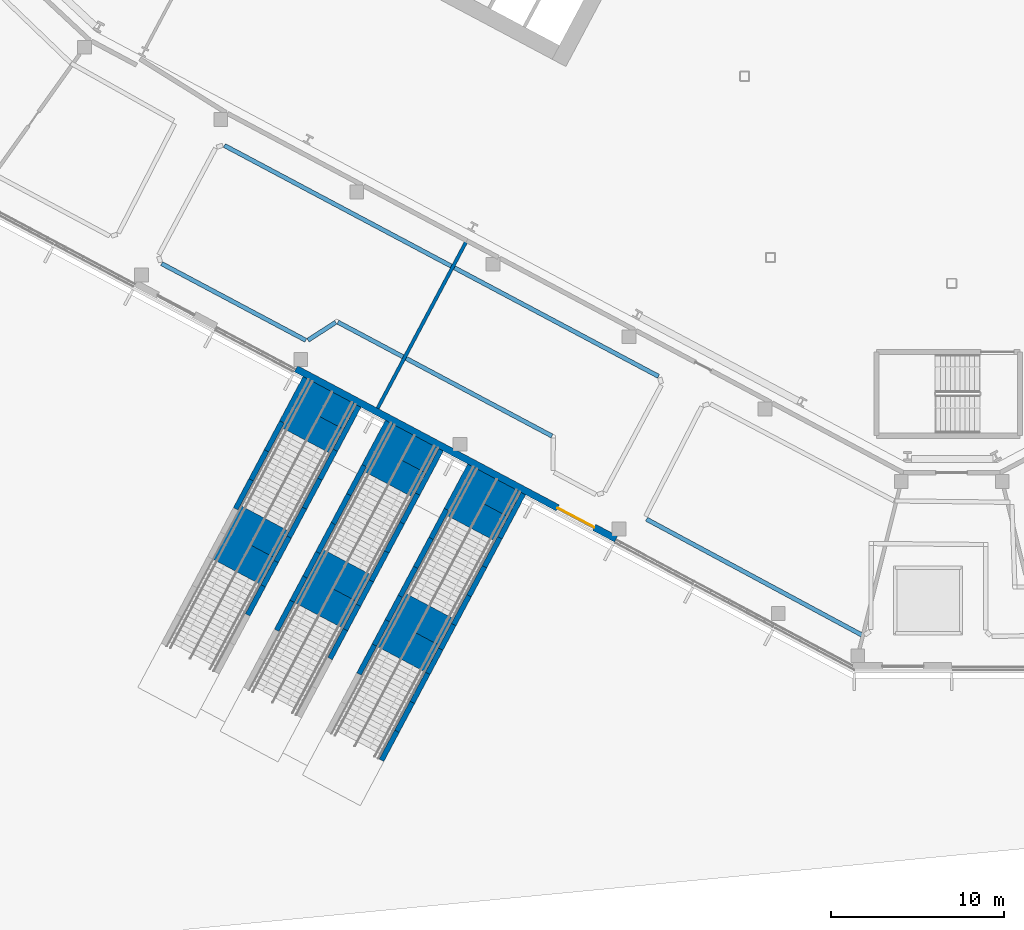
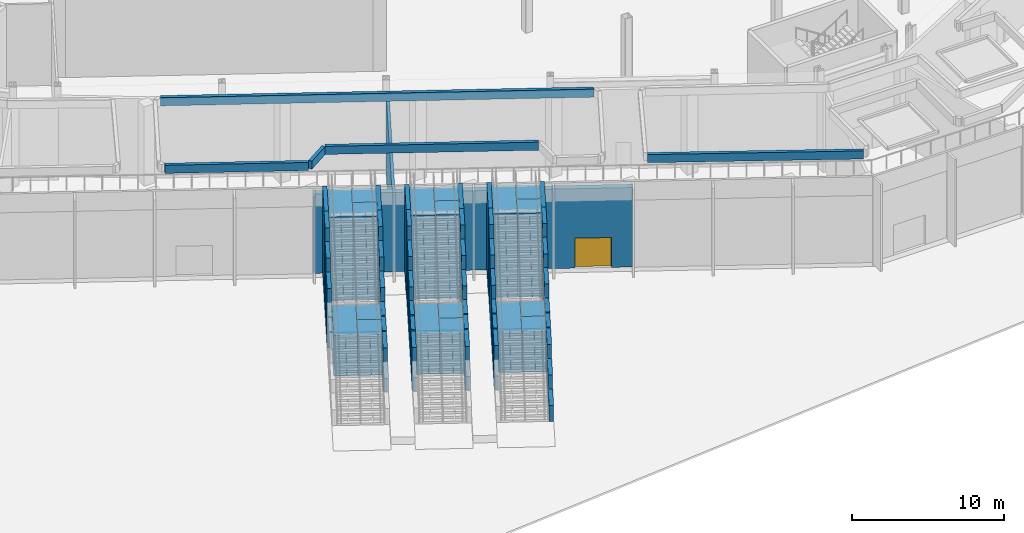
# One storey, part 14 of 57: 66 walls, 1 door, 1 opening.
"""IFC4 building model written with IfcOpenShell, lengths in metres."""

import ifcopenshell
import ifcopenshell.guid

model = None  # the IFC model being written
_history = None  # IfcOwnerHistory: only IFC2X3 demands one
_inside = {}  # id of a spatial element -> (the spatial element, [elements in it])
_under = {}  # id of a project, library or spatial element -> (it, [spatial elements below it])
_declared = {}  # id of a project -> (the project, [libraries it declares])
_typed = {}  # id of a type object -> (the type object, [elements of that type])
_made_of = {}  # id of a material, layer set ... -> (it, [elements and type objects made of it])


def new_model(schema):
    """Start an empty IFC model of exactly this schema.

    Asked for "IFC4X3", IfcOpenShell would pick the latest addendum, in which some entities
    have other attributes; the version numbers below select the first issue.
    IFC2X3 requires an IfcOwnerHistory on every rooted entity: one is made here for all.
    """
    global model, _history
    if schema == "IFC4X3":
        model = ifcopenshell.file(schema_version=(4, 3, 0, 0))
    else:
        model = ifcopenshell.file(schema=schema)
    _inside.clear()
    _under.clear()
    _declared.clear()
    _typed.clear()
    _made_of.clear()
    _history = None
    if model.schema == "IFC2X3":
        org = make("IfcOrganization", Name="unknown")
        user = make(
            "IfcPersonAndOrganization",
            ThePerson=make("IfcPerson", FamilyName="unknown"),
            TheOrganization=org,
        )
        app = make(
            "IfcApplication",
            ApplicationDeveloper=org,
            Version="unknown",
            ApplicationFullName="unknown",
            ApplicationIdentifier="unknown",
        )
        _history = make(
            "IfcOwnerHistory",
            OwningUser=user,
            OwningApplication=app,
            ChangeAction="ADDED",
            CreationDate=0,
        )
    return model


def make(cls, **values):
    """One entity of the class cls with the attributes given. An attribute that is None is left unset."""
    return model.create_entity(
        cls, **{name: value for name, value in values.items() if value is not None}
    )


def rooted(cls, **values):
    """An entity with a GlobalId (a new one), such as an element, a storey or a relation."""
    return make(cls, GlobalId=ifcopenshell.guid.new(), OwnerHistory=_history, **values)


def si_unit(unit_type, name, prefix=None):
    """IfcSIUnit, for example si_unit("LENGTHUNIT", "METRE", prefix="MILLI")."""
    return make("IfcSIUnit", UnitType=unit_type, Prefix=prefix, Name=name)


def assignment(units):
    """IfcUnitAssignment: the units of a project."""
    return None if units is None else make("IfcUnitAssignment", Units=units)


def point(xyz):
    """IfcCartesianPoint."""
    return None if xyz is None else make("IfcCartesianPoint", Coordinates=xyz)


def direction(xyz):
    """IfcDirection."""
    return None if xyz is None else make("IfcDirection", DirectionRatios=xyz)


def frame(location, z_axis=None, x_axis=None):
    """IfcAxis2Placement3D, a coordinate frame: its origin and axes. An axis left out is left unset."""
    return make(
        "IfcAxis2Placement3D",
        Location=point(location),
        Axis=direction(z_axis),
        RefDirection=direction(x_axis),
    )


def frame_2d(location, x_axis=None):
    """IfcAxis2Placement2D, a coordinate frame in the plane: its origin and x axis."""
    return make(
        "IfcAxis2Placement2D", Location=point(location), RefDirection=direction(x_axis)
    )


def origin():
    """The frame at (0, 0, 0) with its axes left unset."""
    return frame((0.0, 0.0, 0.0))


def place(relative_to, where):
    """IfcLocalPlacement: puts the frame where relative to a parent placement (None: the world)."""
    return make(
        "IfcLocalPlacement", PlacementRelTo=relative_to, RelativePlacement=where
    )


def context(
    kind, dimensions, precision=None, world=None, true_north=None, identifier=None
):
    """IfcGeometricRepresentationContext, for example the 3D "Model" context."""
    return make(
        "IfcGeometricRepresentationContext",
        ContextIdentifier=identifier,
        ContextType=kind,
        CoordinateSpaceDimension=dimensions,
        Precision=precision,
        WorldCoordinateSystem=world,
        TrueNorth=true_north,
    )


def subcontext(parent, identifier, kind, view, scale=None):
    """IfcGeometricRepresentationSubContext, for example "Body" below "Model"."""
    return make(
        "IfcGeometricRepresentationSubContext",
        ContextIdentifier=identifier,
        ContextType=kind,
        ParentContext=parent,
        TargetScale=scale,
        TargetView=view,
    )


def project(units=None, contexts=None):
    """IfcProject with its units and contexts."""
    return rooted(
        "IfcProject",
        Name="project",
        RepresentationContexts=contexts,
        UnitsInContext=assignment(units),
    )


def spatial(cls, under=None, at=None, **own):
    """A site, building, storey or space (cls), placed at a placement, below another one or the project."""
    s = rooted(cls, ObjectPlacement=at, **own)
    if under is not None:
        _under.setdefault(under.id(), (under, []))[1].append(s)
    return s


def profile(cls, at=None, kind="AREA", **sizes):
    """A parametric profile (cls). Its sizes go by their IFC names, for example OverallWidth=200.0."""
    return make(cls, ProfileType=kind, Position=at, **sizes)


def rectangle(**sizes):
    """IfcRectangleProfileDef."""
    return profile("IfcRectangleProfileDef", **sizes)


def extrude(swept, where, along, depth):
    """IfcExtrudedAreaSolid: the profile swept, set in the frame where, extruded along a direction by depth."""
    return make(
        "IfcExtrudedAreaSolid",
        SweptArea=swept,
        Position=where,
        ExtrudedDirection=direction(along),
        Depth=depth,
    )


def shape(context_of_items, identifier, shape_type, items):
    """IfcShapeRepresentation: the items that make up one representation, for example the "Body"."""
    return make(
        "IfcShapeRepresentation",
        ContextOfItems=context_of_items,
        RepresentationIdentifier=identifier,
        RepresentationType=shape_type,
        Items=items,
    )


def material(Name=None, Category=None):
    """IfcMaterial."""
    return make("IfcMaterial", Name=Name, Category=Category)


def layer(
    of_material, thickness, ventilated=None, Name=None, Category=None, Priority=None
):
    """IfcMaterialLayer: one layer of a wall or slab, of a material (None: an air gap)."""
    return make(
        "IfcMaterialLayer",
        Material=of_material,
        LayerThickness=thickness,
        IsVentilated=ventilated,
        Name=Name,
        Category=Category,
        Priority=Priority,
    )


def layer_set(layers, Name=None):
    """IfcMaterialLayerSet."""
    return make("IfcMaterialLayerSet", MaterialLayers=layers, LayerSetName=Name)


def made_of(thing, what):
    """Note that an element or type object is made of a material, layer set ...; save() writes the relation."""
    if what is not None:
        _made_of.setdefault(what.id(), (what, []))[1].append(thing)
    return thing


def type_object(cls, material=None, **own):
    """A type object (cls), such as IfcWallType, which elements share."""
    return made_of(rooted(cls, **own), material)


def element(
    cls,
    number,
    at=None,
    inside=None,
    cuts=None,
    type_object=None,
    material=None,
    context=None,
    identifier="Body",
    shape_type=None,
    held_by="IfcProductDefinitionShape",
    body=None,
    shapes=None,
    **own,
):
    """One element of the class cls, such as IfcWall. Its Tag is "e" and its number.

    at: its placement. inside: the storey or other place that contains it. cuts: it is an
    opening in that element (IfcRelVoidsElement). A single representation is given by context,
    identifier, shape_type and body (its items); several are given by shapes. held_by: the class
    of the entity that holds the representations. save() writes the other relations.
    """
    e = rooted(cls, Tag="e%d" % number, ObjectPlacement=at, **own)
    if body is not None:
        shapes = [shape(context, identifier, shape_type, body)]
    if shapes is not None:
        e.Representation = make(held_by, Representations=shapes)
    if inside is not None:
        _inside.setdefault(inside.id(), (inside, []))[1].append(e)
    if cuts is not None:
        rooted(
            "IfcRelVoidsElement", RelatingBuildingElement=cuts, RelatedOpeningElement=e
        )
    if type_object is not None:
        _typed.setdefault(type_object.id(), (type_object, []))[1].append(e)
    return made_of(e, material)


def fill(opening, filler):
    """IfcRelFillsElement: the door or window that sits in an opening."""
    return rooted(
        "IfcRelFillsElement",
        RelatingOpeningElement=opening,
        RelatedBuildingElement=filler,
    )


def aggregate(whole, parts):
    """IfcRelAggregates: a whole, such as a stair, and the parts it consists of."""
    return rooted("IfcRelAggregates", RelatingObject=whole, RelatedObjects=parts)


def save(model, path):
    """Write the relations noted so far, then the file.

    IfcRelAggregates (storeys below a building ...), IfcRelContainedInSpatialStructure (elements
    in a storey), IfcRelDefinesByType, IfcRelAssociatesMaterial and IfcRelDeclares: one each for
    every whole, place, type object, material and project.
    """
    for whole, parts in _under.values():
        aggregate(whole, parts)
    for where, things in _inside.values():
        rooted(
            "IfcRelContainedInSpatialStructure",
            RelatedElements=things,
            RelatingStructure=where,
        )
    for kind, things in _typed.values():
        rooted("IfcRelDefinesByType", RelatedObjects=things, RelatingType=kind)
    for what, things in _made_of.values():
        rooted("IfcRelAssociatesMaterial", RelatedObjects=things, RelatingMaterial=what)
    for by, libraries in _declared.values():
        rooted("IfcRelDeclares", RelatingContext=by, RelatedDefinitions=libraries)
    model.write(path)


model = new_model("IFC4")

# Units and contexts
model_context = context("Model", 3, precision=1e-05, world=origin(), true_north=direction((0.0, 1.0)))
body_context = subcontext(model_context, "Body", "Model", "MODEL_VIEW")
ifc_project = project(units=[si_unit("LENGTHUNIT", "METRE"), si_unit("AREAUNIT", "SQUARE_METRE"), si_unit("VOLUMEUNIT", "CUBIC_METRE"), si_unit("PLANEANGLEUNIT", "RADIAN"), si_unit("MASSUNIT", "GRAM", prefix="KILO")], contexts=[model_context])

# Site, building, storey
site_placement = place(None, origin())
site = spatial("IfcSite", under=ifc_project, at=site_placement, CompositionType="ELEMENT")
building_placement = place(site_placement, origin())
building = spatial("IfcBuilding", under=site, at=building_placement, Name="Cormorant Relay Tower", CompositionType="ELEMENT")
storey_placement = place(building_placement, origin())
storey = spatial("IfcBuildingStorey", under=building, at=storey_placement, Name="L00", CompositionType="ELEMENT", Elevation=0.0)

# Wall, opening, door
ifc_material_1 = material(Name="Concrete 40 MPa with granite cladding", Category="masonry")
ifc_layer_1 = layer(ifc_material_1, 0.39990234375)
ifc_layer_set_1 = layer_set([ifc_layer_1], Name="Base facade wall 400")
wall_type_1 = type_object("IfcWallType", Name="Base facade wall 400", PredefinedType="SOLIDWALL", material=ifc_layer_set_1)
wall_1_placement = place(storey_placement, frame((-37.98828125, -16.94970703125, 0.0), z_axis=(0.0, 0.0, 1.0), x_axis=(0.882951258831, -0.469464668029, 0.0)))
wall_1 = element("IfcWall", 1, at=wall_1_placement, inside=storey, type_object=wall_type_1, Name="Base facade wall", PredefinedType="SOLIDWALL", context=body_context, shape_type="SweptSolid", body=[
    extrude(rectangle(XDim=20.99560546875, YDim=0.39990234375, at=frame_2d((10.497802734375, 0.0))), origin(), (0.0, 0.0, 1.0), 6.3701171875),
])
opening_placement = place(wall_1_placement, frame((17.171142578125, 0.0, 0.0)))
opening = element("IfcOpeningElement", 2, at=opening_placement, cuts=wall_1, Name="Opening PD6-009", PredefinedType="OPENING", context=body_context, shape_type="SweptSolid", body=[
    extrude(rectangle(XDim=2.39990234375, YDim=2.39990234375, at=frame_2d((1.199951171875, 1.199951171875))), frame((0.0, 0.2099609375, 0.0), z_axis=(0.0, -1.0, 0.0), x_axis=(1.0, 0.0, 0.0)), (0.0, 0.0, 1.0), 0.419921875),
])
ifc_material_2 = material(Name="Bronze framed glass door", Category="glass")
door_type = type_object("IfcDoorType", Name="Door entrance double 2400", OperationType="DOUBLE_DOOR_SINGLE_SWING", PredefinedType="DOOR", material=ifc_material_2)
door_placement = place(opening_placement, frame((2.39990234375, 0.0, 0.0), z_axis=(0.0, 0.0, 1.0), x_axis=(-1.0, 0.0, 0.0)))
door = element("IfcDoor", 3, at=door_placement, inside=storey, type_object=door_type, Name="Entrance door", OperationType="DOUBLE_DOOR_SINGLE_SWING", OverallHeight=2.39990234375, OverallWidth=2.39990234375, PredefinedType="DOOR", context=body_context, shape_type="SweptSolid", body=[
    extrude(rectangle(XDim=2.39990234375, YDim=2.39990234375, at=frame_2d((1.199951171875, 1.199951171875))), frame((0.0, 0.02490234375, 0.0), z_axis=(0.0, -1.0, 0.0), x_axis=(1.0, 0.0, 0.0)), (0.0, 0.0, 1.0), 0.050048828125),
])
fill(opening, door)

# Walls
ifc_material_3 = material(Name="Concrete masonry 20 MPa", Category="masonry")
ifc_layer_2 = layer(ifc_material_3, 0.199951171875)
ifc_layer_set_2 = layer_set([ifc_layer_2], Name="Plant room wall 200")
wall_type_2 = type_object("IfcWallType", Name="Plant room wall 200", PredefinedType="PARTITIONING", material=ifc_layer_set_2)
wall_2_placement = place(storey_placement, frame((-33.259765625, -19.2373046875, 0.0), z_axis=(0.0, 0.0, 1.0), x_axis=(0.469463523634, 0.882951867305, 0.0)))
element("IfcWall", 4, at=wall_2_placement, inside=storey, type_object=wall_type_2, Name="Partition", PredefinedType="PARTITIONING", context=body_context, shape_type="SweptSolid", body=[
    extrude(rectangle(XDim=11.0, YDim=0.199951171875, at=frame_2d((5.5, 0.0))), origin(), (0.0, 0.0, 1.0), 6.3701171875),
])
ifc_material_4 = material(Name="Concrete 40 MPa", Category="concrete")
ifc_layer_3 = layer(ifc_material_4, 0.25)
ifc_layer_set_3 = layer_set([ifc_layer_3], Name="Planter kerb 250")
wall_type_3 = type_object("IfcWallType", Name="Planter kerb 250", PredefinedType="STANDARD", material=ifc_layer_set_3)
wall_3_placement = place(storey_placement, frame((-5.174072265625, -32.3896484375, 7.0), z_axis=(0.0, 0.0, 1.0), x_axis=(-0.880676930477, 0.473717367347, 0.0)))
element("IfcWall", 5, at=wall_3_placement, inside=storey, type_object=wall_type_3, Name="PLANTER 01 kerb", PredefinedType="STANDARD", context=body_context, shape_type="SweptSolid", body=[
    extrude(rectangle(XDim=14.200439453125, YDim=0.25, at=frame_2d((7.10009765625, 0.0))), origin(), (0.0, 0.0, 1.0), 0.64990234375),
])
wall_4_placement = place(storey_placement, frame((-23.158935546875, -20.844970703125, 7.0), z_axis=(0.0, 0.0, 1.0), x_axis=(-0.882863954687, 0.469628829518, 0.0)))
element("IfcWall", 6, at=wall_4_placement, inside=storey, type_object=wall_type_3, Name="PLANTER 03 kerb", PredefinedType="STANDARD", context=body_context, shape_type="SweptSolid", body=[
    extrude(rectangle(XDim=14.0439453125, YDim=0.25, at=frame_2d((7.02197265625, 0.0))), origin(), (0.0, 0.0, 1.0), 0.64990234375),
])
wall_5_placement = place(storey_placement, frame((-35.684326171875, -14.2548828125, 7.0), z_axis=(0.0, 0.0, 1.0), x_axis=(-0.840369713359, -0.542013602107, 0.0)))
element("IfcWall", 7, at=wall_5_placement, inside=storey, type_object=wall_type_3, Name="PLANTER 03 kerb", PredefinedType="STANDARD", context=body_context, shape_type="SweptSolid", body=[
    extrude(rectangle(XDim=1.914794921875, YDim=0.25, at=frame_2d((0.95751953125, 0.0))), origin(), (0.0, 0.0, 1.0), 0.64990234375),
])
wall_6_placement = place(storey_placement, frame((-37.419921875, -15.298095703125, 7.0), z_axis=(0.0, 0.0, 1.0), x_axis=(-0.882939968374, 0.469485902076, 0.0)))
element("IfcWall", 8, at=wall_6_placement, inside=storey, type_object=wall_type_3, Name="PLANTER 03 kerb", PredefinedType="STANDARD", context=body_context, shape_type="SweptSolid", body=[
    extrude(rectangle(XDim=9.4638671875, YDim=0.25, at=frame_2d((4.73193359375, 0.0))), origin(), (0.0, 0.0, 1.0), 0.64990234375),
])
wall_7_placement = place(storey_placement, frame((-42.137451171875, -4.01220703125, 7.0), z_axis=(0.0, 0.0, 1.0), x_axis=(0.882945698561, -0.469475125424, 0.0)))
element("IfcWall", 9, at=wall_7_placement, inside=storey, type_object=wall_type_3, Name="PLANTER 03 kerb", PredefinedType="STANDARD", context=body_context, shape_type="SweptSolid", body=[
    extrude(rectangle(XDim=28.492431640625, YDim=0.25, at=frame_2d((14.24609375, 0.0))), origin(), (0.0, 0.0, 1.0), 0.64990234375),
])
ifc_material_5 = material(Name="Concrete 40 MPa with granite cladding", Category="masonry")
ifc_layer_4 = layer(ifc_material_5, 0.300048828125)
ifc_layer_set_4 = layer_set([ifc_layer_4], Name="Stair cheek wall 300")
wall_type_4 = type_object("IfcWallType", Name="Stair cheek wall 300", PredefinedType="SOLIDWALL", material=ifc_layer_set_4)
wall_8_placement = place(storey_placement, frame((-37.443603515625, -17.4658203125, 0.0), z_axis=(0.0, 0.0, 1.0), x_axis=(-0.469434248776, -0.882967432059, 0.0)))
element("IfcWall", 10, at=wall_8_placement, inside=storey, type_object=wall_type_4, Name="Stair cheek wall", PredefinedType="SOLIDWALL", context=body_context, shape_type="SweptSolid", body=[
    extrude(rectangle(XDim=2.89990234375, YDim=0.300048828125, at=frame_2d((1.449951171875, 0.0))), origin(), (0.0, 0.0, 1.0), 7.0),
])
wall_9_placement = place(storey_placement, frame((-38.804931640625, -20.0263671875, 0.0), z_axis=(0.0, 0.0, 1.0), x_axis=(-0.469534121713, -0.882914326844, 0.0)))
element("IfcWall", 11, at=wall_9_placement, inside=storey, type_object=wall_type_4, Name="Stair cheek wall", PredefinedType="SOLIDWALL", context=body_context, shape_type="SweptSolid", body=[
    extrude(rectangle(XDim=1.89990234375, YDim=0.300048828125, at=frame_2d((0.949951171875, 0.0))), origin(), (0.0, 0.0, 1.0), 7.0),
])
wall_10_placement = place(storey_placement, frame((-39.697021484375, -21.703857421875, 0.0), z_axis=(0.0, 0.0, 1.0), x_axis=(-0.4694808567, -0.882942651134, 0.0)))
element("IfcWall", 12, at=wall_10_placement, inside=storey, type_object=wall_type_4, Name="Stair cheek wall", PredefinedType="SOLIDWALL", context=body_context, shape_type="SweptSolid", body=[
    extrude(rectangle(XDim=1.900146484375, YDim=0.300048828125, at=frame_2d((0.9501953125, 0.0))), origin(), (0.0, 0.0, 1.0), 5.89208984375),
])
wall_11_placement = place(storey_placement, frame((-40.589111328125, -23.381591796875, 0.0), z_axis=(0.0, 0.0, 1.0), x_axis=(-0.469433943093, -0.882967594577, 0.0)))
element("IfcWall", 13, at=wall_11_placement, inside=storey, type_object=wall_type_4, Name="Stair cheek wall", PredefinedType="SOLIDWALL", context=body_context, shape_type="SweptSolid", body=[
    extrude(rectangle(XDim=1.89990234375, YDim=0.300048828125, at=frame_2d((0.949951171875, 0.0))), origin(), (0.0, 0.0, 1.0), 4.782958984375),
])
wall_12_placement = place(storey_placement, frame((-34.353271484375, -19.10888671875, 0.0), z_axis=(0.0, 0.0, 1.0), x_axis=(-0.469434248776, -0.882967432059, 0.0)))
element("IfcWall", 14, at=wall_12_placement, inside=storey, type_object=wall_type_4, Name="Stair cheek wall", PredefinedType="SOLIDWALL", context=body_context, shape_type="SweptSolid", body=[
    extrude(rectangle(XDim=2.89990234375, YDim=0.300048828125, at=frame_2d((1.449951171875, 0.0))), origin(), (0.0, 0.0, 1.0), 7.0),
])
wall_13_placement = place(storey_placement, frame((-35.714599609375, -21.66943359375, 0.0), z_axis=(0.0, 0.0, 1.0), x_axis=(-0.469534121713, -0.882914326844, 0.0)))
element("IfcWall", 15, at=wall_13_placement, inside=storey, type_object=wall_type_4, Name="Stair cheek wall", PredefinedType="SOLIDWALL", context=body_context, shape_type="SweptSolid", body=[
    extrude(rectangle(XDim=1.89990234375, YDim=0.300048828125, at=frame_2d((0.949951171875, 0.0))), origin(), (0.0, 0.0, 1.0), 7.0),
])
wall_14_placement = place(storey_placement, frame((-36.606689453125, -23.346923828125, 0.0), z_axis=(0.0, 0.0, 1.0), x_axis=(-0.4694808567, -0.882942651134, 0.0)))
element("IfcWall", 16, at=wall_14_placement, inside=storey, type_object=wall_type_4, Name="Stair cheek wall", PredefinedType="SOLIDWALL", context=body_context, shape_type="SweptSolid", body=[
    extrude(rectangle(XDim=1.900146484375, YDim=0.300048828125, at=frame_2d((0.9501953125, 0.0))), origin(), (0.0, 0.0, 1.0), 5.89208984375),
])
wall_15_placement = place(storey_placement, frame((-37.498779296875, -25.024658203125, 0.0), z_axis=(0.0, 0.0, 1.0), x_axis=(-0.469433943093, -0.882967594577, 0.0)))
element("IfcWall", 17, at=wall_15_placement, inside=storey, type_object=wall_type_4, Name="Stair cheek wall", PredefinedType="SOLIDWALL", context=body_context, shape_type="SweptSolid", body=[
    extrude(rectangle(XDim=1.89990234375, YDim=0.300048828125, at=frame_2d((0.949951171875, 0.0))), origin(), (0.0, 0.0, 1.0), 4.782958984375),
])
wall_16_placement = place(storey_placement, frame((-38.390625, -26.7021484375, 0.0), z_axis=(0.0, 0.0, 1.0), x_axis=(-0.469471267677, -0.882947749771, 0.0)))
element("IfcWall", 18, at=wall_16_placement, inside=storey, type_object=wall_type_4, Name="Stair cheek wall", PredefinedType="SOLIDWALL", context=body_context, shape_type="SweptSolid", body=[
    extrude(rectangle(XDim=1.60009765625, YDim=0.300048828125, at=frame_2d((0.800048828125, 0.0))), origin(), (0.0, 0.0, 1.0), 3.675048828125),
])
wall_17_placement = place(storey_placement, frame((-39.141845703125, -28.114990234375, 0.0), z_axis=(0.0, 0.0, 1.0), x_axis=(-0.469534519898, -0.882914115089, 0.0)))
element("IfcWall", 19, at=wall_17_placement, inside=storey, type_object=wall_type_4, Name="Stair cheek wall", PredefinedType="SOLIDWALL", context=body_context, shape_type="SweptSolid", body=[
    extrude(rectangle(XDim=1.599853515625, YDim=0.300048828125, at=frame_2d((0.7998046875, 0.0))), origin(), (0.0, 0.0, 1.0), 3.5869140625),
])
wall_18_placement = place(storey_placement, frame((-39.89306640625, -29.527587890625, 0.0), z_axis=(0.0, 0.0, 1.0), x_axis=(-0.469380683019, -0.882995908489, 0.0)))
element("IfcWall", 20, at=wall_18_placement, inside=storey, type_object=wall_type_4, Name="Stair cheek wall", PredefinedType="SOLIDWALL", context=body_context, shape_type="SweptSolid", body=[
    extrude(rectangle(XDim=1.900146484375, YDim=0.300048828125, at=frame_2d((0.9501953125, 0.0))), origin(), (0.0, 0.0, 1.0), 3.5),
])
wall_19_placement = place(storey_placement, frame((-32.675537109375, -20.0009765625, 0.0), z_axis=(0.0, 0.0, 1.0), x_axis=(-0.469534780786, -0.882913976349, 0.0)))
element("IfcWall", 21, at=wall_19_placement, inside=storey, type_object=wall_type_4, Name="Stair cheek wall", PredefinedType="SOLIDWALL", context=body_context, shape_type="SweptSolid", body=[
    extrude(rectangle(XDim=2.89990234375, YDim=0.300048828125, at=frame_2d((1.449951171875, 0.0))), origin(), (0.0, 0.0, 1.0), 7.0),
])
wall_20_placement = place(storey_placement, frame((-34.037109375, -22.561279296875, 0.0), z_axis=(0.0, 0.0, 1.0), x_axis=(-0.4694808567, -0.882942651134, 0.0)))
element("IfcWall", 22, at=wall_20_placement, inside=storey, type_object=wall_type_4, Name="Stair cheek wall", PredefinedType="SOLIDWALL", context=body_context, shape_type="SweptSolid", body=[
    extrude(rectangle(XDim=1.900146484375, YDim=0.300048828125, at=frame_2d((0.9501953125, 0.0))), origin(), (0.0, 0.0, 1.0), 7.0),
])
wall_21_placement = place(storey_placement, frame((-34.92919921875, -24.239013671875, 0.0), z_axis=(0.0, 0.0, 1.0), x_axis=(-0.469433943093, -0.882967594577, 0.0)))
element("IfcWall", 23, at=wall_21_placement, inside=storey, type_object=wall_type_4, Name="Stair cheek wall", PredefinedType="SOLIDWALL", context=body_context, shape_type="SweptSolid", body=[
    extrude(rectangle(XDim=1.89990234375, YDim=0.300048828125, at=frame_2d((0.949951171875, 0.0))), origin(), (0.0, 0.0, 1.0), 5.89208984375),
])
wall_22_placement = place(storey_placement, frame((-35.821044921875, -25.91650390625, 0.0), z_axis=(0.0, 0.0, 1.0), x_axis=(-0.4694808567, -0.882942651134, 0.0)))
element("IfcWall", 24, at=wall_22_placement, inside=storey, type_object=wall_type_4, Name="Stair cheek wall", PredefinedType="SOLIDWALL", context=body_context, shape_type="SweptSolid", body=[
    extrude(rectangle(XDim=1.900146484375, YDim=0.300048828125, at=frame_2d((0.9501953125, 0.0))), origin(), (0.0, 0.0, 1.0), 4.782958984375),
])
wall_23_placement = place(storey_placement, frame((-36.713134765625, -27.59423828125, 0.0), z_axis=(0.0, 0.0, 1.0), x_axis=(-0.469352308434, -0.883010991193, 0.0)))
element("IfcWall", 25, at=wall_23_placement, inside=storey, type_object=wall_type_4, Name="Stair cheek wall", PredefinedType="SOLIDWALL", context=body_context, shape_type="SweptSolid", body=[
    extrude(rectangle(XDim=1.60009765625, YDim=0.300048828125, at=frame_2d((0.800048828125, 0.0))), origin(), (0.0, 0.0, 1.0), 3.675048828125),
])
wall_24_placement = place(storey_placement, frame((-37.464111328125, -29.007080078125, 0.0), z_axis=(0.0, 0.0, 1.0), x_axis=(-0.469534519898, -0.882914115089, 0.0)))
element("IfcWall", 26, at=wall_24_placement, inside=storey, type_object=wall_type_4, Name="Stair cheek wall", PredefinedType="SOLIDWALL", context=body_context, shape_type="SweptSolid", body=[
    extrude(rectangle(XDim=1.599853515625, YDim=0.300048828125, at=frame_2d((0.7998046875, 0.0))), origin(), (0.0, 0.0, 1.0), 3.5869140625),
])
wall_25_placement = place(storey_placement, frame((-38.21533203125, -30.419677734375, 0.0), z_axis=(0.0, 0.0, 1.0), x_axis=(-0.4694808567, -0.882942651134, 0.0)))
element("IfcWall", 27, at=wall_25_placement, inside=storey, type_object=wall_type_4, Name="Stair cheek wall", PredefinedType="SOLIDWALL", context=body_context, shape_type="SweptSolid", body=[
    extrude(rectangle(XDim=1.900146484375, YDim=0.300048828125, at=frame_2d((0.9501953125, 0.0))), origin(), (0.0, 0.0, 1.0), 3.5),
])
wall_26_placement = place(storey_placement, frame((-29.585205078125, -21.64404296875, 0.0), z_axis=(0.0, 0.0, 1.0), x_axis=(-0.469499880774, -0.882932535335, 0.0)))
element("IfcWall", 28, at=wall_26_placement, inside=storey, type_object=wall_type_4, Name="Stair cheek wall", PredefinedType="SOLIDWALL", context=body_context, shape_type="SweptSolid", body=[
    extrude(rectangle(XDim=2.900146484375, YDim=0.300048828125, at=frame_2d((1.4501953125, 0.0))), origin(), (0.0, 0.0, 1.0), 7.0),
])
wall_27_placement = place(storey_placement, frame((-30.94677734375, -24.20458984375, 0.0), z_axis=(0.0, 0.0, 1.0), x_axis=(-0.469433943093, -0.882967594577, 0.0)))
element("IfcWall", 29, at=wall_27_placement, inside=storey, type_object=wall_type_4, Name="Stair cheek wall", PredefinedType="SOLIDWALL", context=body_context, shape_type="SweptSolid", body=[
    extrude(rectangle(XDim=1.89990234375, YDim=0.300048828125, at=frame_2d((0.949951171875, 0.0))), origin(), (0.0, 0.0, 1.0), 7.0),
])
wall_28_placement = place(storey_placement, frame((-31.838623046875, -25.882080078125, 0.0), z_axis=(0.0, 0.0, 1.0), x_axis=(-0.4694808567, -0.882942651134, 0.0)))
element("IfcWall", 30, at=wall_28_placement, inside=storey, type_object=wall_type_4, Name="Stair cheek wall", PredefinedType="SOLIDWALL", context=body_context, shape_type="SweptSolid", body=[
    extrude(rectangle(XDim=1.900146484375, YDim=0.300048828125, at=frame_2d((0.9501953125, 0.0))), origin(), (0.0, 0.0, 1.0), 5.89208984375),
])
wall_29_placement = place(storey_placement, frame((-32.730712890625, -27.559814453125, 0.0), z_axis=(0.0, 0.0, 1.0), x_axis=(-0.469534121713, -0.882914326844, 0.0)))
element("IfcWall", 31, at=wall_29_placement, inside=storey, type_object=wall_type_4, Name="Stair cheek wall", PredefinedType="SOLIDWALL", context=body_context, shape_type="SweptSolid", body=[
    extrude(rectangle(XDim=1.89990234375, YDim=0.300048828125, at=frame_2d((0.949951171875, 0.0))), origin(), (0.0, 0.0, 1.0), 4.782958984375),
])
wall_30_placement = place(storey_placement, frame((-33.622802734375, -29.2373046875, 0.0), z_axis=(0.0, 0.0, 1.0), x_axis=(-0.469352308434, -0.883010991193, 0.0)))
element("IfcWall", 32, at=wall_30_placement, inside=storey, type_object=wall_type_4, Name="Stair cheek wall", PredefinedType="SOLIDWALL", context=body_context, shape_type="SweptSolid", body=[
    extrude(rectangle(XDim=1.60009765625, YDim=0.300048828125, at=frame_2d((0.800048828125, 0.0))), origin(), (0.0, 0.0, 1.0), 3.675048828125),
])
wall_31_placement = place(storey_placement, frame((-34.373779296875, -30.650146484375, 0.0), z_axis=(0.0, 0.0, 1.0), x_axis=(-0.469534519898, -0.882914115089, 0.0)))
element("IfcWall", 33, at=wall_31_placement, inside=storey, type_object=wall_type_4, Name="Stair cheek wall", PredefinedType="SOLIDWALL", context=body_context, shape_type="SweptSolid", body=[
    extrude(rectangle(XDim=1.599853515625, YDim=0.300048828125, at=frame_2d((0.7998046875, 0.0))), origin(), (0.0, 0.0, 1.0), 3.5869140625),
])
wall_32_placement = place(storey_placement, frame((-35.125, -32.062744140625, 0.0), z_axis=(0.0, 0.0, 1.0), x_axis=(-0.4694808567, -0.882942651134, 0.0)))
element("IfcWall", 34, at=wall_32_placement, inside=storey, type_object=wall_type_4, Name="Stair cheek wall", PredefinedType="SOLIDWALL", context=body_context, shape_type="SweptSolid", body=[
    extrude(rectangle(XDim=1.900146484375, YDim=0.300048828125, at=frame_2d((0.9501953125, 0.0))), origin(), (0.0, 0.0, 1.0), 3.5),
])
wall_33_placement = place(storey_placement, frame((-27.90771484375, -22.535888671875, 0.0), z_axis=(0.0, 0.0, 1.0), x_axis=(-0.469464985218, -0.882951090183, 0.0)))
element("IfcWall", 35, at=wall_33_placement, inside=storey, type_object=wall_type_4, Name="Stair cheek wall", PredefinedType="SOLIDWALL", context=body_context, shape_type="SweptSolid", body=[
    extrude(rectangle(XDim=2.900146484375, YDim=0.300048828125, at=frame_2d((1.4501953125, 0.0))), origin(), (0.0, 0.0, 1.0), 7.0),
])
wall_34_placement = place(storey_placement, frame((-29.269287109375, -25.0966796875, 0.0), z_axis=(0.0, 0.0, 1.0), x_axis=(-0.469433943093, -0.882967594577, 0.0)))
element("IfcWall", 36, at=wall_34_placement, inside=storey, type_object=wall_type_4, Name="Stair cheek wall", PredefinedType="SOLIDWALL", context=body_context, shape_type="SweptSolid", body=[
    extrude(rectangle(XDim=1.89990234375, YDim=0.300048828125, at=frame_2d((0.949951171875, 0.0))), origin(), (0.0, 0.0, 1.0), 7.0),
])
wall_35_placement = place(storey_placement, frame((-30.1611328125, -26.774169921875, 0.0), z_axis=(0.0, 0.0, 1.0), x_axis=(-0.469380683019, -0.882995908489, 0.0)))
element("IfcWall", 37, at=wall_35_placement, inside=storey, type_object=wall_type_4, Name="Stair cheek wall", PredefinedType="SOLIDWALL", context=body_context, shape_type="SweptSolid", body=[
    extrude(rectangle(XDim=1.900146484375, YDim=0.300048828125, at=frame_2d((0.9501953125, 0.0))), origin(), (0.0, 0.0, 1.0), 5.89208984375),
])
wall_36_placement = place(storey_placement, frame((-31.052978515625, -28.451904296875, 0.0), z_axis=(0.0, 0.0, 1.0), x_axis=(-0.469534121713, -0.882914326844, 0.0)))
element("IfcWall", 38, at=wall_36_placement, inside=storey, type_object=wall_type_4, Name="Stair cheek wall", PredefinedType="SOLIDWALL", context=body_context, shape_type="SweptSolid", body=[
    extrude(rectangle(XDim=1.89990234375, YDim=0.300048828125, at=frame_2d((0.949951171875, 0.0))), origin(), (0.0, 0.0, 1.0), 4.782958984375),
])
wall_37_placement = place(storey_placement, frame((-31.945068359375, -30.12939453125, 0.0), z_axis=(0.0, 0.0, 1.0), x_axis=(-0.469534519898, -0.882914115089, 0.0)))
element("IfcWall", 39, at=wall_37_placement, inside=storey, type_object=wall_type_4, Name="Stair cheek wall", PredefinedType="SOLIDWALL", context=body_context, shape_type="SweptSolid", body=[
    extrude(rectangle(XDim=1.599853515625, YDim=0.300048828125, at=frame_2d((0.7998046875, 0.0))), origin(), (0.0, 0.0, 1.0), 3.675048828125),
])
wall_38_placement = place(storey_placement, frame((-32.6962890625, -31.5419921875, 0.0), z_axis=(0.0, 0.0, 1.0), x_axis=(-0.469471267677, -0.882947749771, 0.0)))
element("IfcWall", 40, at=wall_38_placement, inside=storey, type_object=wall_type_4, Name="Stair cheek wall", PredefinedType="SOLIDWALL", context=body_context, shape_type="SweptSolid", body=[
    extrude(rectangle(XDim=1.60009765625, YDim=0.300048828125, at=frame_2d((0.800048828125, 0.0))), origin(), (0.0, 0.0, 1.0), 3.5869140625),
])
wall_39_placement = place(storey_placement, frame((-33.447509765625, -32.954833984375, 0.0), z_axis=(0.0, 0.0, 1.0), x_axis=(-0.469433943093, -0.882967594577, 0.0)))
element("IfcWall", 41, at=wall_39_placement, inside=storey, type_object=wall_type_4, Name="Stair cheek wall", PredefinedType="SOLIDWALL", context=body_context, shape_type="SweptSolid", body=[
    extrude(rectangle(XDim=1.89990234375, YDim=0.300048828125, at=frame_2d((0.949951171875, 0.0))), origin(), (0.0, 0.0, 1.0), 3.5),
])
wall_40_placement = place(storey_placement, frame((-24.8173828125, -24.17919921875, 0.0), z_axis=(0.0, 0.0, 1.0), x_axis=(-0.469434248776, -0.882967432059, 0.0)))
element("IfcWall", 42, at=wall_40_placement, inside=storey, type_object=wall_type_4, Name="Stair cheek wall", PredefinedType="SOLIDWALL", context=body_context, shape_type="SweptSolid", body=[
    extrude(rectangle(XDim=2.89990234375, YDim=0.300048828125, at=frame_2d((1.449951171875, 0.0))), origin(), (0.0, 0.0, 1.0), 7.0),
])
wall_41_placement = place(storey_placement, frame((-26.1787109375, -26.73974609375, 0.0), z_axis=(0.0, 0.0, 1.0), x_axis=(-0.469534121713, -0.882914326844, 0.0)))
element("IfcWall", 43, at=wall_41_placement, inside=storey, type_object=wall_type_4, Name="Stair cheek wall", PredefinedType="SOLIDWALL", context=body_context, shape_type="SweptSolid", body=[
    extrude(rectangle(XDim=1.89990234375, YDim=0.300048828125, at=frame_2d((0.949951171875, 0.0))), origin(), (0.0, 0.0, 1.0), 7.0),
])
wall_42_placement = place(storey_placement, frame((-27.07080078125, -28.417236328125, 0.0), z_axis=(0.0, 0.0, 1.0), x_axis=(-0.4694808567, -0.882942651134, 0.0)))
element("IfcWall", 44, at=wall_42_placement, inside=storey, type_object=wall_type_4, Name="Stair cheek wall", PredefinedType="SOLIDWALL", context=body_context, shape_type="SweptSolid", body=[
    extrude(rectangle(XDim=1.900146484375, YDim=0.300048828125, at=frame_2d((0.9501953125, 0.0))), origin(), (0.0, 0.0, 1.0), 5.89208984375),
])
wall_43_placement = place(storey_placement, frame((-27.962890625, -30.094970703125, 0.0), z_axis=(0.0, 0.0, 1.0), x_axis=(-0.469433943093, -0.882967594577, 0.0)))
element("IfcWall", 45, at=wall_43_placement, inside=storey, type_object=wall_type_4, Name="Stair cheek wall", PredefinedType="SOLIDWALL", context=body_context, shape_type="SweptSolid", body=[
    extrude(rectangle(XDim=1.89990234375, YDim=0.300048828125, at=frame_2d((0.949951171875, 0.0))), origin(), (0.0, 0.0, 1.0), 4.782958984375),
])
wall_44_placement = place(storey_placement, frame((-28.854736328125, -31.7724609375, 0.0), z_axis=(0.0, 0.0, 1.0), x_axis=(-0.469471267677, -0.882947749771, 0.0)))
element("IfcWall", 46, at=wall_44_placement, inside=storey, type_object=wall_type_4, Name="Stair cheek wall", PredefinedType="SOLIDWALL", context=body_context, shape_type="SweptSolid", body=[
    extrude(rectangle(XDim=1.60009765625, YDim=0.300048828125, at=frame_2d((0.800048828125, 0.0))), origin(), (0.0, 0.0, 1.0), 3.675048828125),
])
wall_45_placement = place(storey_placement, frame((-29.60595703125, -33.185302734375, 0.0), z_axis=(0.0, 0.0, 1.0), x_axis=(-0.469534519898, -0.882914115089, 0.0)))
element("IfcWall", 47, at=wall_45_placement, inside=storey, type_object=wall_type_4, Name="Stair cheek wall", PredefinedType="SOLIDWALL", context=body_context, shape_type="SweptSolid", body=[
    extrude(rectangle(XDim=1.599853515625, YDim=0.300048828125, at=frame_2d((0.7998046875, 0.0))), origin(), (0.0, 0.0, 1.0), 3.5869140625),
])
wall_46_placement = place(storey_placement, frame((-30.357177734375, -34.597900390625, 0.0), z_axis=(0.0, 0.0, 1.0), x_axis=(-0.469380683019, -0.882995908489, 0.0)))
element("IfcWall", 48, at=wall_46_placement, inside=storey, type_object=wall_type_4, Name="Stair cheek wall", PredefinedType="SOLIDWALL", context=body_context, shape_type="SweptSolid", body=[
    extrude(rectangle(XDim=1.900146484375, YDim=0.300048828125, at=frame_2d((0.9501953125, 0.0))), origin(), (0.0, 0.0, 1.0), 3.5),
])
wall_47_placement = place(storey_placement, frame((-31.2490234375, -36.275634765625, 0.0), z_axis=(0.0, 0.0, 1.0), x_axis=(-0.469534121713, -0.882914326844, 0.0)))
element("IfcWall", 49, at=wall_47_placement, inside=storey, type_object=wall_type_4, Name="Stair cheek wall", PredefinedType="SOLIDWALL", context=body_context, shape_type="SweptSolid", body=[
    extrude(rectangle(XDim=1.89990234375, YDim=0.300048828125, at=frame_2d((0.949951171875, 0.0))), origin(), (0.0, 0.0, 1.0), 2.39208984375),
])
wall_48_placement = place(storey_placement, frame((-32.14111328125, -37.953125, 0.0), z_axis=(0.0, 0.0, 1.0), x_axis=(-0.4694808567, -0.882942651134, 0.0)))
element("IfcWall", 50, at=wall_48_placement, inside=storey, type_object=wall_type_4, Name="Stair cheek wall", PredefinedType="SOLIDWALL", context=body_context, shape_type="SweptSolid", body=[
    extrude(rectangle(XDim=1.900146484375, YDim=0.300048828125, at=frame_2d((0.9501953125, 0.0))), origin(), (0.0, 0.0, 1.0), 1.282958984375),
])
ifc_material_6 = material(Name="Concrete 40 MPa", Category="concrete")
ifc_layer_5 = layer(ifc_material_6, 1.60009765625)
ifc_layer_set_5 = layer_set([ifc_layer_5], Name="Stair plinth 1600")
wall_type_5 = type_object("IfcWallType", Name="Stair plinth 1600", PredefinedType="SOLIDWALL", material=ifc_layer_set_5)
wall_49_placement = place(storey_placement, frame((-40.501220703125, -25.240234375, 0.0), z_axis=(0.0, 0.0, 1.0), x_axis=(-0.469505386913, -0.88292960742, 0.0)))
element("IfcWall", 51, at=wall_49_placement, inside=storey, type_object=wall_type_5, Name="Street stair 2A landing plinth", PredefinedType="SOLIDWALL", context=body_context, shape_type="SweptSolid", body=[
    extrude(rectangle(XDim=3.5, YDim=1.60009765625, at=frame_2d((1.75, 0.0))), origin(), (0.0, 0.0, 1.0), 3.25),
])
for number, where, z_axis, x_axis, name in (
    (52, (-39.088623046875, -25.991455078125, 0.0), (0.0, 0.0, 1.0), (-0.469451007504, -0.882958521989, 0.0), "Street stair 2A landing plinth"),
    (53, (-39.91015625, -27.53662109375, 0.0), (0.0, 0.0, 1.0), (-0.469451007504, -0.882958521989, 0.0), "Street stair 2A landing plinth"),
):
    element("IfcWall", number, at=place(storey_placement, frame(where, z_axis=z_axis, x_axis=x_axis)), inside=storey, type_object=wall_type_5, Name=name, PredefinedType="SOLIDWALL", context=body_context, shape_type="SweptSolid", body=[
        extrude(rectangle(XDim=1.75, YDim=1.60009765625, at=frame_2d((0.875, 0.0))), origin(), (0.0, 0.0, 1.0), 3.25),
    ])
wall_50_placement = place(storey_placement, frame((-36.604736328125, -17.91162109375, 0.0), z_axis=(0.0, 0.0, 1.0), x_axis=(-0.469411791251, -0.882979371353, 0.0)))
element("IfcWall", 54, at=wall_50_placement, inside=storey, type_object=wall_type_5, Name="Street stair 2A head landing plinth", PredefinedType="SOLIDWALL", context=body_context, shape_type="SweptSolid", body=[
    extrude(rectangle(XDim=3.2001953125, YDim=1.60009765625, at=frame_2d((1.60009765625, 0.0))), origin(), (0.0, 0.0, 1.0), 6.75),
])
wall_51_placement = place(storey_placement, frame((-35.19189453125, -18.662841796875, 0.0), z_axis=(0.0, 0.0, 1.0), x_axis=(-0.469471267677, -0.882947749771, 0.0)))
element("IfcWall", 55, at=wall_51_placement, inside=storey, type_object=wall_type_5, Name="Street stair 2A head landing plinth", PredefinedType="SOLIDWALL", context=body_context, shape_type="SweptSolid", body=[
    extrude(rectangle(XDim=1.60009765625, YDim=1.60009765625, at=frame_2d((0.800048828125, 0.0))), origin(), (0.0, 0.0, 1.0), 6.75),
])
wall_52_placement = place(storey_placement, frame((-35.943115234375, -20.07568359375, 0.0), z_axis=(0.0, 0.0, 1.0), x_axis=(-0.469534519898, -0.882914115089, 0.0)))
element("IfcWall", 56, at=wall_52_placement, inside=storey, type_object=wall_type_5, Name="Street stair 2A head landing plinth", PredefinedType="SOLIDWALL", context=body_context, shape_type="SweptSolid", body=[
    extrude(rectangle(XDim=1.599853515625, YDim=1.60009765625, at=frame_2d((0.7998046875, 0.0))), origin(), (0.0, 0.0, 1.0), 6.75),
])
wall_53_placement = place(storey_placement, frame((-35.7333984375, -27.775390625, 0.0), z_axis=(0.0, 0.0, 1.0), x_axis=(-0.469505386913, -0.88292960742, 0.0)))
element("IfcWall", 57, at=wall_53_placement, inside=storey, type_object=wall_type_5, Name="Street stair 2B landing plinth", PredefinedType="SOLIDWALL", context=body_context, shape_type="SweptSolid", body=[
    extrude(rectangle(XDim=3.5, YDim=1.60009765625, at=frame_2d((1.75, 0.0))), origin(), (0.0, 0.0, 1.0), 3.25),
])
wall_54_placement = place(storey_placement, frame((-34.32080078125, -28.526611328125, 0.0), z_axis=(0.0, 0.0, 1.0), x_axis=(-0.469451007504, -0.882958521989, 0.0)))
element("IfcWall", 58, at=wall_54_placement, inside=storey, type_object=wall_type_5, Name="Street stair 2B landing plinth", PredefinedType="SOLIDWALL", context=body_context, shape_type="SweptSolid", body=[
    extrude(rectangle(XDim=1.75, YDim=1.60009765625, at=frame_2d((0.875, 0.0))), origin(), (0.0, 0.0, 1.0), 3.25),
])
wall_55_placement = place(storey_placement, frame((-35.142333984375, -30.07177734375, 0.0), z_axis=(0.0, 0.0, 1.0), x_axis=(-0.469508841303, -0.88292777051, 0.0)))
element("IfcWall", 59, at=wall_55_placement, inside=storey, type_object=wall_type_5, Name="Street stair 2B landing plinth", PredefinedType="SOLIDWALL", context=body_context, shape_type="SweptSolid", body=[
    extrude(rectangle(XDim=1.749755859375, YDim=1.60009765625, at=frame_2d((0.875, 0.0))), origin(), (0.0, 0.0, 1.0), 3.25),
])
wall_56_placement = place(storey_placement, frame((-31.8369140625, -20.447021484375, 0.0), z_axis=(0.0, 0.0, 1.0), x_axis=(-0.46947503999, -0.882945743988, 0.0)))
element("IfcWall", 60, at=wall_56_placement, inside=storey, type_object=wall_type_5, Name="Street stair 2B head landing plinth", PredefinedType="SOLIDWALL", context=body_context, shape_type="SweptSolid", body=[
    extrude(rectangle(XDim=3.19970703125, YDim=1.60009765625, at=frame_2d((1.599853515625, 0.0))), origin(), (0.0, 0.0, 1.0), 6.75),
])
wall_57_placement = place(storey_placement, frame((-30.424072265625, -21.197998046875, 0.0), z_axis=(0.0, 0.0, 1.0), x_axis=(-0.469471267677, -0.882947749771, 0.0)))
element("IfcWall", 61, at=wall_57_placement, inside=storey, type_object=wall_type_5, Name="Street stair 2B head landing plinth", PredefinedType="SOLIDWALL", context=body_context, shape_type="SweptSolid", body=[
    extrude(rectangle(XDim=1.60009765625, YDim=1.60009765625, at=frame_2d((0.800048828125, 0.0))), origin(), (0.0, 0.0, 1.0), 6.75),
])
wall_58_placement = place(storey_placement, frame((-31.17529296875, -22.61083984375, 0.0), z_axis=(0.0, 0.0, 1.0), x_axis=(-0.469534519898, -0.882914115089, 0.0)))
element("IfcWall", 62, at=wall_58_placement, inside=storey, type_object=wall_type_5, Name="Street stair 2B head landing plinth", PredefinedType="SOLIDWALL", context=body_context, shape_type="SweptSolid", body=[
    extrude(rectangle(XDim=1.599853515625, YDim=1.60009765625, at=frame_2d((0.7998046875, 0.0))), origin(), (0.0, 0.0, 1.0), 6.75),
])
wall_59_placement = place(storey_placement, frame((-30.965576171875, -30.310546875, 0.0), z_axis=(0.0, 0.0, 1.0), x_axis=(-0.469451007504, -0.882958521989, 0.0)))
element("IfcWall", 63, at=wall_59_placement, inside=storey, type_object=wall_type_5, Name="Street stair 2C landing plinth", PredefinedType="SOLIDWALL", context=body_context, shape_type="SweptSolid", body=[
    extrude(rectangle(XDim=3.5, YDim=1.60009765625, at=frame_2d((1.75, 0.0))), origin(), (0.0, 0.0, 1.0), 3.25),
])
for number, where, z_axis, x_axis, name in (
    (64, (-29.552734375, -31.0615234375, 0.0), (0.0, 0.0, 1.0), (-0.46955976098, -0.882900691397, 0.0), "Street stair 2C landing plinth"),
    (65, (-30.37451171875, -32.606689453125, 0.0), (0.0, 0.0, 1.0), (-0.46928441692, -0.883047074644, 0.0), "Street stair 2C landing plinth"),
):
    element("IfcWall", number, at=place(storey_placement, frame(where, z_axis=z_axis, x_axis=x_axis)), inside=storey, type_object=wall_type_5, Name=name, PredefinedType="SOLIDWALL", context=body_context, shape_type="SweptSolid", body=[
        extrude(rectangle(XDim=1.75, YDim=1.60009765625, at=frame_2d((0.875, 0.0))), origin(), (0.0, 0.0, 1.0), 3.25),
    ])
wall_60_placement = place(storey_placement, frame((-27.06884765625, -22.98193359375, 0.0), z_axis=(0.0, 0.0, 1.0), x_axis=(-0.469471267677, -0.882947749771, 0.0)))
element("IfcWall", 66, at=wall_60_placement, inside=storey, type_object=wall_type_5, Name="Street stair 2C head landing plinth", PredefinedType="SOLIDWALL", context=body_context, shape_type="SweptSolid", body=[
    extrude(rectangle(XDim=3.2001953125, YDim=1.60009765625, at=frame_2d((1.60009765625, 0.0))), origin(), (0.0, 0.0, 1.0), 6.75),
])
wall_61_placement = place(storey_placement, frame((-25.65625, -23.733154296875, 0.0), z_axis=(0.0, 0.0, 1.0), x_axis=(-0.469352308434, -0.883010991193, 0.0)))
element("IfcWall", 67, at=wall_61_placement, inside=storey, type_object=wall_type_5, Name="Street stair 2C head landing plinth", PredefinedType="SOLIDWALL", context=body_context, shape_type="SweptSolid", body=[
    extrude(rectangle(XDim=1.60009765625, YDim=1.60009765625, at=frame_2d((0.800048828125, 0.0))), origin(), (0.0, 0.0, 1.0), 6.75),
])
wall_62_placement = place(storey_placement, frame((-26.4072265625, -25.14599609375, 0.0), z_axis=(0.0, 0.0, 1.0), x_axis=(-0.469534519898, -0.882914115089, 0.0)))
element("IfcWall", 68, at=wall_62_placement, inside=storey, type_object=wall_type_5, Name="Street stair 2C head landing plinth", PredefinedType="SOLIDWALL", context=body_context, shape_type="SweptSolid", body=[
    extrude(rectangle(XDim=1.599853515625, YDim=1.60009765625, at=frame_2d((0.7998046875, 0.0))), origin(), (0.0, 0.0, 1.0), 6.75),
])

save(model, "model.ifc")
